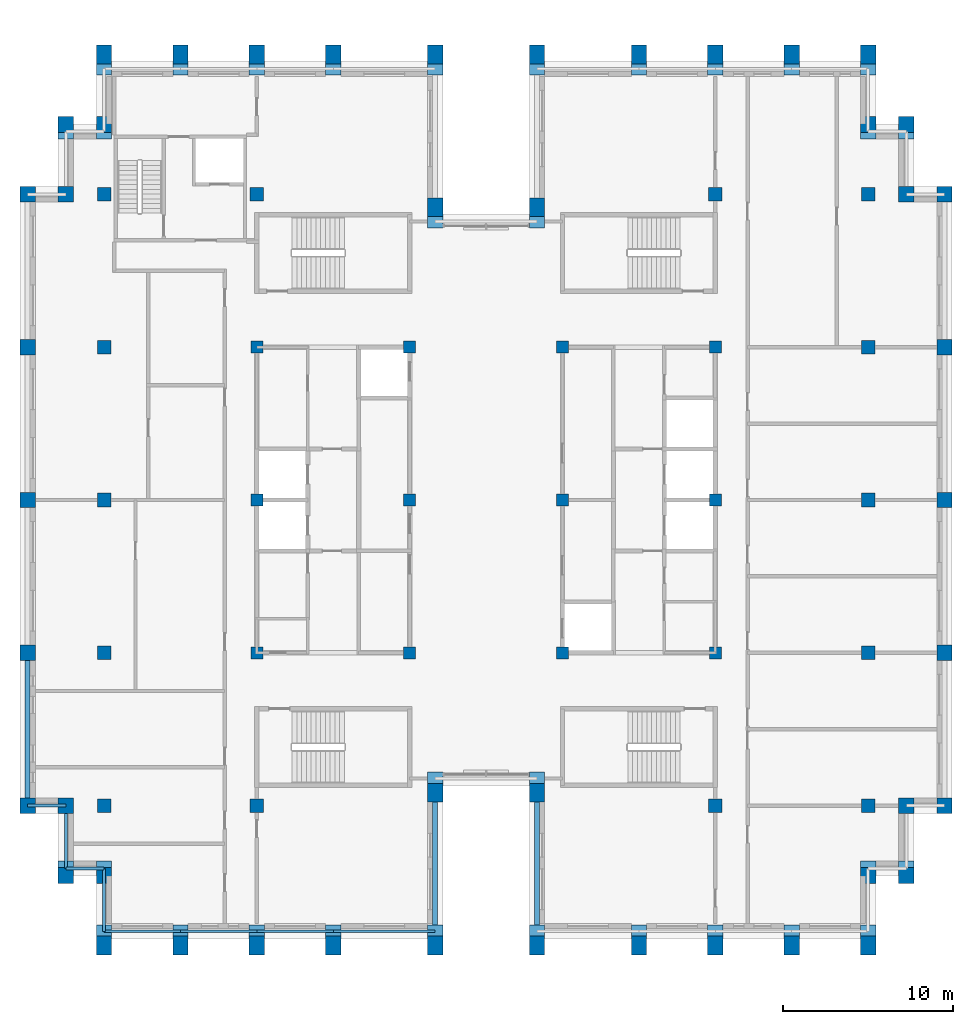
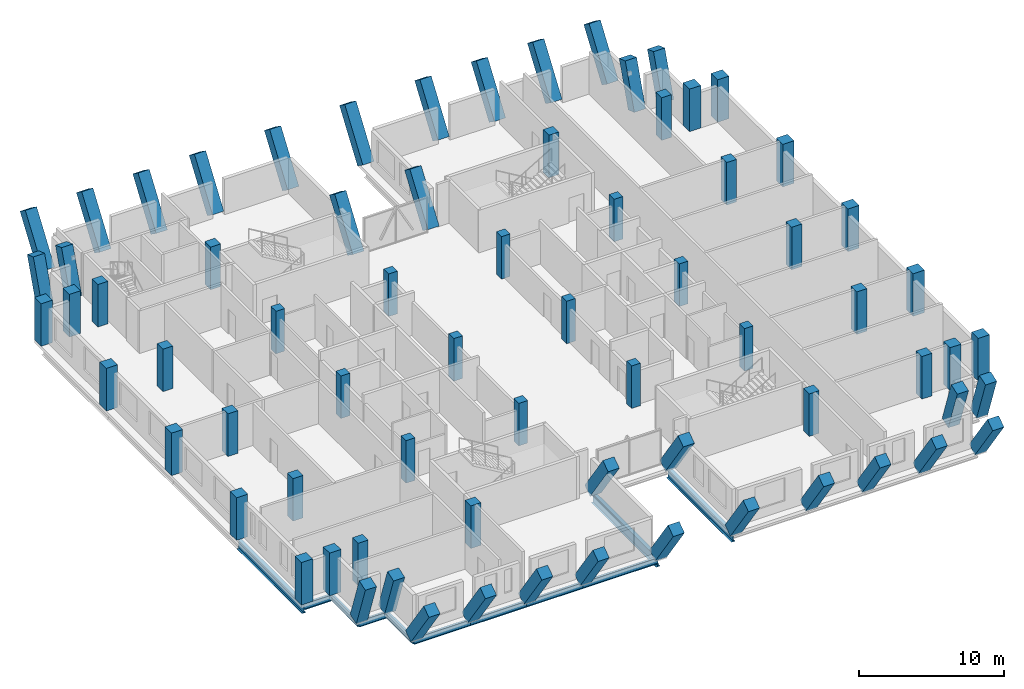
# One storey, part 1 of 13: 72 columns, 11 beams.
"""IFC4 building model written with IfcOpenShell, lengths in metres."""

from ifc_helpers import new_model, si_unit, direction, frame, origin, origin_2d, place, context, subcontext, project, spatial, rectangle, i_section, extrude, material, material_profile, profile_set, type_object, element, save


model = new_model("IFC4")

# Units and contexts
model_context = context("Model", 3, precision=1e-05, world=origin(), true_north=direction((0.0, 1.0)))
body_context = subcontext(model_context, "Body", "Model", "MODEL_VIEW")
ifc_project = project(units=[si_unit("LENGTHUNIT", "METRE"), si_unit("AREAUNIT", "SQUARE_METRE"), si_unit("VOLUMEUNIT", "CUBIC_METRE"), si_unit("PLANEANGLEUNIT", "RADIAN"), si_unit("MASSUNIT", "GRAM", prefix="KILO")], contexts=[model_context])

# Site, building, storey
site_placement = place(None, origin())
site = spatial("IfcSite", under=ifc_project, at=site_placement, CompositionType="ELEMENT")
building_placement = place(site_placement, origin())
building = spatial("IfcBuilding", under=site, at=building_placement, Name="Corbelhall Arena Tower", CompositionType="ELEMENT")
storey_placement = place(building_placement, frame((0.0, 0.0, 346.0)))
storey = spatial("IfcBuildingStorey", under=building, at=storey_placement, Name="L76", CompositionType="ELEMENT", Elevation=346.0)

# Columns
ifc_material_1 = material(Name="Concrete C80/95", Category="concrete")
ifc_material_profile_1 = material_profile(ifc_material_1, rectangle(XDim=0.699951171875, YDim=0.699951171875, at=origin_2d()))
ifc_profile_set_1 = profile_set([ifc_material_profile_1], Name="Concrete C80/95")
column_type_1 = type_object("IfcColumnType", Name="ST-COL-RC 700x700", PredefinedType="COLUMN", material=ifc_profile_set_1)
for number, where, z_axis, x_axis, name in (
    (1, (4.5, 0.0, 0.0), (0.0, 0.0, 1.0), (1.0, 0.0, 0.0), "Column KE+0450+0000"),
    (2, (4.5, 9.0, 0.0), (0.0, 0.0, 1.0), (1.0, 0.0, 0.0), "Column KE+0450+0900"),
    (3, (4.5, -9.0, 0.0), (0.0, 0.0, 1.0), (1.0, 0.0, 0.0), "Column KE+0450-0900"),
    (4, (13.5, 0.0, 0.0), (0.0, 0.0, 1.0), (1.0, 0.0, 0.0), "Column KE+1350+0000"),
    (5, (13.5, 9.0, 0.0), (0.0, 0.0, 1.0), (1.0, 0.0, 0.0), "Column KE+1350+0900"),
    (6, (13.5, -9.0, 0.0), (0.0, 0.0, 1.0), (1.0, 0.0, 0.0), "Column KE+1350-0900"),
    (7, (-4.5, 0.0, 0.0), (0.0, 0.0, 1.0), (1.0, 0.0, 0.0), "Column KW-0450+0000"),
    (8, (-4.5, 9.0, 0.0), (0.0, 0.0, 1.0), (1.0, 0.0, 0.0), "Column KW-0450+0900"),
    (9, (-4.5, -9.0, 0.0), (0.0, 0.0, 1.0), (1.0, 0.0, 0.0), "Column KW-0450-0900"),
    (10, (-13.5, 0.0, 0.0), (0.0, 0.0, 1.0), (1.0, 0.0, 0.0), "Column KW-1350+0000"),
    (11, (-13.5, 9.0, 0.0), (0.0, 0.0, 1.0), (1.0, 0.0, 0.0), "Column KW-1350+0900"),
    (12, (-13.5, -9.0, 0.0), (0.0, 0.0, 1.0), (1.0, 0.0, 0.0), "Column KW-1350-0900"),
):
    element("IfcColumn", number, at=place(storey_placement, frame(where, z_axis=z_axis, x_axis=x_axis)), inside=storey, type_object=column_type_1, Name=name, PredefinedType="COLUMN", context=body_context, shape_type="SweptSolid", body=[
        extrude(rectangle(XDim=0.699951171875, YDim=0.699951171875, at=origin_2d()), origin(), (0.0, 0.0, 1.0), 3.590087890625),
    ])
ifc_material_profile_2 = material_profile(ifc_material_1, rectangle(XDim=0.800048828125, YDim=0.800048828125, at=origin_2d()))
ifc_profile_set_2 = profile_set([ifc_material_profile_2], Name="Concrete C80/95")
column_type_2 = type_object("IfcColumnType", Name="ST-COL-RC 800x800", PredefinedType="COLUMN", material=ifc_profile_set_2)
for number, where, z_axis, x_axis, name in (
    (13, (13.5, 18.0, 0.0), (0.0, 0.0, 1.0), (1.0, 0.0, 0.0), "Column IE13+1800"),
    (14, (13.5, -18.0, 0.0), (0.0, 0.0, 1.0), (1.0, 0.0, 0.0), "Column IE13-1800"),
    (15, (22.5, 0.0, 0.0), (0.0, 0.0, 1.0), (1.0, 0.0, 0.0), "Column IE22+0000"),
    (16, (22.5, 9.0, 0.0), (0.0, 0.0, 1.0), (1.0, 0.0, 0.0), "Column IE22+0900"),
    (17, (22.5, 18.0, 0.0), (0.0, 0.0, 1.0), (1.0, 0.0, 0.0), "Column IE22+1800"),
    (18, (22.5, -9.0, 0.0), (0.0, 0.0, 1.0), (1.0, 0.0, 0.0), "Column IE22-0900"),
    (19, (22.5, -18.0, 0.0), (0.0, 0.0, 1.0), (1.0, 0.0, 0.0), "Column IE22-1800"),
    (20, (-13.5, 18.0, 0.0), (0.0, 0.0, 1.0), (1.0, 0.0, 0.0), "Column IW13+1800"),
    (21, (-13.5, -18.0, 0.0), (0.0, 0.0, 1.0), (1.0, 0.0, 0.0), "Column IW13-1800"),
    (22, (-22.5, 0.0, 0.0), (0.0, 0.0, 1.0), (1.0, 0.0, 0.0), "Column IW22+0000"),
    (23, (-22.5, 9.0, 0.0), (0.0, 0.0, 1.0), (1.0, 0.0, 0.0), "Column IW22+0900"),
    (24, (-22.5, 18.0, 0.0), (0.0, 0.0, 1.0), (1.0, 0.0, 0.0), "Column IW22+1800"),
    (25, (-22.5, -9.0, 0.0), (0.0, 0.0, 1.0), (1.0, 0.0, 0.0), "Column IW22-0900"),
    (26, (-22.5, -18.0, 0.0), (0.0, 0.0, 1.0), (1.0, 0.0, 0.0), "Column IW22-1800"),
):
    element("IfcColumn", number, at=place(storey_placement, frame(where, z_axis=z_axis, x_axis=x_axis)), inside=storey, type_object=column_type_2, Name=name, PredefinedType="COLUMN", context=body_context, shape_type="SweptSolid", body=[
        extrude(rectangle(XDim=0.800048828125, YDim=0.800048828125, at=origin_2d()), origin(), (0.0, 0.0, 1.0), 3.590087890625),
    ])
ifc_material_profile_3 = material_profile(ifc_material_1, rectangle(XDim=0.89990234375, YDim=0.89990234375, at=origin_2d()))
ifc_profile_set_3 = profile_set([ifc_material_profile_3], Name="Concrete C80/95")
column_type_3 = type_object("IfcColumnType", Name="ST-COL-RC 900x900", PredefinedType="COLUMN", material=ifc_profile_set_3)
for number, where, z_axis, x_axis, name in (
    (27, (27.0, 0.0, 0.0), (0.0, 0.0, 1.0), (0.0, 1.0, 0.0), "Column PE+0000"),
    (28, (27.0, 9.0, 0.0), (0.0, 0.0, 1.0), (0.0, 1.0, 0.0), "Column PE+0900"),
    (29, (27.0, 18.0, 0.0), (0.0, 0.0, 1.0), (0.0, 1.0, 0.0), "Column PE+1800"),
    (30, (27.0, -9.0, 0.0), (0.0, 0.0, 1.0), (0.0, 1.0, 0.0), "Column PE-0900"),
    (31, (27.0, -18.0, 0.0), (0.0, 0.0, 1.0), (0.0, 1.0, 0.0), "Column PE-1800"),
):
    element("IfcColumn", number, at=place(storey_placement, frame(where, z_axis=z_axis, x_axis=x_axis)), inside=storey, type_object=column_type_3, Name=name, PredefinedType="COLUMN", context=body_context, shape_type="SweptSolid", body=[
        extrude(rectangle(XDim=0.89990234375, YDim=0.89990234375, at=origin_2d()), origin(), (0.0, 0.0, 1.0), 3.590087890625),
    ])
for number, where, z_axis, x_axis, name in (
    (32, (3.0, 25.39990234375, 0.0), (0.0, 0.571456844548, 0.820632119051), (-1.0, 0.0, 0.0), "Column PNE0300"),
    (33, (9.0, 25.39990234375, 0.0), (0.0, 0.571456844548, 0.820632119051), (-1.0, 0.0, 0.0), "Column PNE0900"),
    (34, (13.5, 25.39990234375, 0.0), (0.0, 0.571456844548, 0.820632119051), (-1.0, 0.0, 0.0), "Column PNE1350"),
    (35, (18.0, 25.39990234375, 0.0), (0.0, 0.571456844548, 0.820632119051), (-1.0, 0.0, 0.0), "Column PNE1800"),
    (36, (22.5, 25.39990234375, 0.0), (0.0, 0.571456844548, 0.820632119051), (-1.0, 0.0, 0.0), "Column PNE2250"),
    (37, (-3.0, 25.39990234375, 0.0), (0.0, 0.571456844548, 0.820632119051), (-1.0, 0.0, 0.0), "Column PNW0300"),
    (38, (-9.0, 25.39990234375, 0.0), (0.0, 0.571456844548, 0.820632119051), (-1.0, 0.0, 0.0), "Column PNW0900"),
    (39, (-13.5, 25.39990234375, 0.0), (0.0, 0.571456844548, 0.820632119051), (-1.0, 0.0, 0.0), "Column PNW1350"),
    (40, (-18.0, 25.39990234375, 0.0), (0.0, 0.571456844548, 0.820632119051), (-1.0, 0.0, 0.0), "Column PNW1800"),
    (41, (-22.5, 25.39990234375, 0.0), (0.0, 0.571456844548, 0.820632119051), (-1.0, 0.0, 0.0), "Column PNW2250"),
    (42, (3.0, -25.39990234375, 0.0), (0.0, -0.571456844548, 0.820632119051), (1.0, 0.0, 0.0), "Column PSE0300"),
    (43, (9.0, -25.39990234375, 0.0), (0.0, -0.571456844548, 0.820632119051), (1.0, 0.0, 0.0), "Column PSE0900"),
    (44, (13.5, -25.39990234375, 0.0), (0.0, -0.571456844548, 0.820632119051), (1.0, 0.0, 0.0), "Column PSE1350"),
    (45, (18.0, -25.39990234375, 0.0), (0.0, -0.571456844548, 0.820632119051), (1.0, 0.0, 0.0), "Column PSE1800"),
    (46, (22.5, -25.39990234375, 0.0), (0.0, -0.571456844548, 0.820632119051), (1.0, 0.0, 0.0), "Column PSE2250"),
    (47, (-3.0, -25.39990234375, 0.0), (0.0, -0.571456844548, 0.820632119051), (1.0, 0.0, 0.0), "Column PSW0300"),
    (48, (-9.0, -25.39990234375, 0.0), (0.0, -0.571456844548, 0.820632119051), (1.0, 0.0, 0.0), "Column PSW0900"),
    (49, (-13.5, -25.39990234375, 0.0), (0.0, -0.571456844548, 0.820632119051), (1.0, 0.0, 0.0), "Column PSW1350"),
    (50, (-18.0, -25.39990234375, 0.0), (0.0, -0.571456844548, 0.820632119051), (1.0, 0.0, 0.0), "Column PSW1800"),
    (51, (-22.5, -25.39990234375, 0.0), (0.0, -0.571456844548, 0.820632119051), (1.0, 0.0, 0.0), "Column PSW2250"),
):
    element("IfcColumn", number, at=place(storey_placement, frame(where, z_axis=z_axis, x_axis=x_axis)), inside=storey, type_object=column_type_3, Name=name, PredefinedType="COLUMN", context=body_context, shape_type="SweptSolid", body=[
        extrude(rectangle(XDim=0.89990234375, YDim=0.89990234375, at=origin_2d()), origin(), (0.0, 0.0, 1.0), 4.374755859375),
    ])
for number, where, z_axis, x_axis, name in (
    (52, (-27.0, 0.0, 0.0), (0.0, 0.0, 1.0), (0.0, 1.0, 0.0), "Column PW+0000"),
    (53, (-27.0, 9.0, 0.0), (0.0, 0.0, 1.0), (0.0, 1.0, 0.0), "Column PW+0900"),
    (54, (-27.0, 18.0, 0.0), (0.0, 0.0, 1.0), (0.0, 1.0, 0.0), "Column PW+1800"),
    (55, (-27.0, -9.0, 0.0), (0.0, 0.0, 1.0), (0.0, 1.0, 0.0), "Column PW-0900"),
    (56, (-27.0, -18.0, 0.0), (0.0, 0.0, 1.0), (0.0, 1.0, 0.0), "Column PW-1800"),
):
    element("IfcColumn", number, at=place(storey_placement, frame(where, z_axis=z_axis, x_axis=x_axis)), inside=storey, type_object=column_type_3, Name=name, PredefinedType="COLUMN", context=body_context, shape_type="SweptSolid", body=[
        extrude(rectangle(XDim=0.89990234375, YDim=0.89990234375, at=origin_2d()), origin(), (0.0, 0.0, 1.0), 3.590087890625),
    ])
for number, where, z_axis, x_axis, name in (
    (57, (3.0, 16.39990234375, 0.0), (0.0, 0.571456844548, 0.820632119051), (-1.0, 0.0, 0.0), "Column SLNE2"),
    (58, (-3.0, 16.39990234375, 0.0), (0.0, 0.571456844548, 0.820632119051), (-1.0, 0.0, 0.0), "Column SLNW2"),
    (59, (3.0, -16.39990234375, 0.0), (0.0, -0.571456844548, 0.820632119051), (1.0, 0.0, 0.0), "Column SLSE2"),
    (60, (-3.0, -16.39990234375, 0.0), (0.0, -0.571456844548, 0.820632119051), (1.0, 0.0, 0.0), "Column SLSW2"),
):
    element("IfcColumn", number, at=place(storey_placement, frame(where, z_axis=z_axis, x_axis=x_axis)), inside=storey, type_object=column_type_3, Name=name, PredefinedType="COLUMN", context=body_context, shape_type="SweptSolid", body=[
        extrude(rectangle(XDim=0.89990234375, YDim=0.89990234375, at=origin_2d()), origin(), (0.0, 0.0, 1.0), 4.374755859375),
    ])
for number, where, z_axis, x_axis, name in (
    (61, (22.5, 21.699951171875, 0.0), (0.0, 0.328819519572, 0.944392780335), (-1.0, 0.0, 0.0), "Column XNE1"),
    (62, (24.75, 21.699951171875, 0.0), (0.0, 0.328819519572, 0.944392780335), (-1.0, 0.0, 0.0), "Column XNE2"),
):
    element("IfcColumn", number, at=place(storey_placement, frame(where, z_axis=z_axis, x_axis=x_axis)), inside=storey, type_object=column_type_3, Name=name, PredefinedType="COLUMN", context=body_context, shape_type="SweptSolid", body=[
        extrude(rectangle(XDim=0.89990234375, YDim=0.89990234375, at=origin_2d()), origin(), (0.0, 0.0, 1.0), 3.801513671875),
    ])
column_1_placement = place(storey_placement, frame((24.75, 18.0, 0.0), z_axis=(0.0, 0.0, 1.0), x_axis=(1.0, 0.0, 0.0)))
element("IfcColumn", 63, at=column_1_placement, inside=storey, type_object=column_type_3, Name="Column XNE3", PredefinedType="COLUMN", context=body_context, shape_type="SweptSolid", body=[
    extrude(rectangle(XDim=0.89990234375, YDim=0.89990234375, at=origin_2d()), origin(), (0.0, 0.0, 1.0), 3.590087890625),
])
for number, where, z_axis, x_axis, name in (
    (64, (-22.5, 21.699951171875, 0.0), (0.0, 0.328819519572, 0.944392780335), (-1.0, 0.0, 0.0), "Column XNW1"),
    (65, (-24.75, 21.699951171875, 0.0), (0.0, 0.328819519572, 0.944392780335), (-1.0, 0.0, 0.0), "Column XNW2"),
):
    element("IfcColumn", number, at=place(storey_placement, frame(where, z_axis=z_axis, x_axis=x_axis)), inside=storey, type_object=column_type_3, Name=name, PredefinedType="COLUMN", context=body_context, shape_type="SweptSolid", body=[
        extrude(rectangle(XDim=0.89990234375, YDim=0.89990234375, at=origin_2d()), origin(), (0.0, 0.0, 1.0), 3.801513671875),
    ])
column_2_placement = place(storey_placement, frame((-24.75, 18.0, 0.0), z_axis=(0.0, 0.0, 1.0), x_axis=(1.0, 0.0, 0.0)))
element("IfcColumn", 66, at=column_2_placement, inside=storey, type_object=column_type_3, Name="Column XNW3", PredefinedType="COLUMN", context=body_context, shape_type="SweptSolid", body=[
    extrude(rectangle(XDim=0.89990234375, YDim=0.89990234375, at=origin_2d()), origin(), (0.0, 0.0, 1.0), 3.590087890625),
])
for number, where, z_axis, x_axis, name in (
    (67, (22.5, -21.699951171875, 0.0), (0.0, -0.328819519572, 0.944392780335), (1.0, 0.0, 0.0), "Column XSE1"),
    (68, (24.75, -21.699951171875, 0.0), (0.0, -0.328819519572, 0.944392780335), (1.0, 0.0, 0.0), "Column XSE2"),
):
    element("IfcColumn", number, at=place(storey_placement, frame(where, z_axis=z_axis, x_axis=x_axis)), inside=storey, type_object=column_type_3, Name=name, PredefinedType="COLUMN", context=body_context, shape_type="SweptSolid", body=[
        extrude(rectangle(XDim=0.89990234375, YDim=0.89990234375, at=origin_2d()), origin(), (0.0, 0.0, 1.0), 3.801513671875),
    ])
column_3_placement = place(storey_placement, frame((24.75, -18.0, 0.0), z_axis=(0.0, 0.0, 1.0), x_axis=(1.0, 0.0, 0.0)))
element("IfcColumn", 69, at=column_3_placement, inside=storey, type_object=column_type_3, Name="Column XSE3", PredefinedType="COLUMN", context=body_context, shape_type="SweptSolid", body=[
    extrude(rectangle(XDim=0.89990234375, YDim=0.89990234375, at=origin_2d()), origin(), (0.0, 0.0, 1.0), 3.590087890625),
])
for number, where, z_axis, x_axis, name in (
    (70, (-22.5, -21.699951171875, 0.0), (0.0, -0.328819519572, 0.944392780335), (1.0, 0.0, 0.0), "Column XSW1"),
    (71, (-24.75, -21.699951171875, 0.0), (0.0, -0.328819519572, 0.944392780335), (1.0, 0.0, 0.0), "Column XSW2"),
):
    element("IfcColumn", number, at=place(storey_placement, frame(where, z_axis=z_axis, x_axis=x_axis)), inside=storey, type_object=column_type_3, Name=name, PredefinedType="COLUMN", context=body_context, shape_type="SweptSolid", body=[
        extrude(rectangle(XDim=0.89990234375, YDim=0.89990234375, at=origin_2d()), origin(), (0.0, 0.0, 1.0), 3.801513671875),
    ])
column_4_placement = place(storey_placement, frame((-24.75, -18.0, 0.0), z_axis=(0.0, 0.0, 1.0), x_axis=(1.0, 0.0, 0.0)))
element("IfcColumn", 72, at=column_4_placement, inside=storey, type_object=column_type_3, Name="Column XSW3", PredefinedType="COLUMN", context=body_context, shape_type="SweptSolid", body=[
    extrude(rectangle(XDim=0.89990234375, YDim=0.89990234375, at=origin_2d()), origin(), (0.0, 0.0, 1.0), 3.590087890625),
])

# Beams
ifc_material_2 = material(Name="Steel ASTM A992 Gr50", Category="steel")
ifc_material_profile_4 = material_profile(ifc_material_2, i_section(OverallWidth=0.16650390625, OverallDepth=0.535888671875, WebThickness=0.01025390625, FlangeThickness=0.0166015625, at=origin_2d()))
ifc_profile_set_4 = profile_set([ifc_material_profile_4], Name="Steel ASTM A992 Gr50")
beam_type_1 = type_object("IfcBeamType", Name="ST-SPANDREL-W21x57", PredefinedType="SPANDREL", material=ifc_profile_set_4)
beam_1_placement = place(storey_placement, frame((-3.0, -25.39990234375, -0.528076171875), z_axis=(-1.0, 0.0, 0.0), x_axis=(0.0, -1.0, 0.0)))
element("IfcBeam", 73, at=beam_1_placement, inside=storey, type_object=beam_type_1, Name="Beam SP 21", PredefinedType="SPANDREL", context=body_context, shape_type="SweptSolid", body=[
    extrude(i_section(OverallWidth=0.16650390625, OverallDepth=0.535888671875, WebThickness=0.01025390625, FlangeThickness=0.0166015625, at=origin_2d()), origin(), (0.0, 0.0, 1.0), 6.0),
])
for number, where, z_axis, x_axis, name in (
    (74, (-9.0, -25.39990234375, -0.528076171875), (-1.0, 0.0, 0.0), (0.0, -1.0, 0.0), "Beam SP 22"),
    (75, (-13.5, -25.39990234375, -0.528076171875), (-1.0, 0.0, 0.0), (0.0, -1.0, 0.0), "Beam SP 23"),
    (76, (-18.0, -25.39990234375, -0.528076171875), (-1.0, 0.0, 0.0), (0.0, -1.0, 0.0), "Beam SP 24"),
):
    element("IfcBeam", number, at=place(storey_placement, frame(where, z_axis=z_axis, x_axis=x_axis)), inside=storey, type_object=beam_type_1, Name=name, PredefinedType="SPANDREL", context=body_context, shape_type="SweptSolid", body=[
        extrude(i_section(OverallWidth=0.16650390625, OverallDepth=0.535888671875, WebThickness=0.01025390625, FlangeThickness=0.0166015625, at=origin_2d()), origin(), (0.0, 0.0, 1.0), 4.5),
    ])
beam_2_placement = place(storey_placement, frame((-22.5, -25.39990234375, -0.528076171875), z_axis=(0.0, 1.0, 0.0), x_axis=(-1.0, 0.0, 0.0)))
element("IfcBeam", 77, at=beam_2_placement, inside=storey, type_object=beam_type_1, Name="Beam SP 25", PredefinedType="SPANDREL", context=body_context, shape_type="SweptSolid", body=[
    extrude(i_section(OverallWidth=0.16650390625, OverallDepth=0.535888671875, WebThickness=0.01025390625, FlangeThickness=0.0166015625, at=origin_2d()), origin(), (0.0, 0.0, 1.0), 3.699951171875),
])
beam_3_placement = place(storey_placement, frame((-22.5, -21.699951171875, -0.528076171875), z_axis=(-1.0, 0.0, 0.0), x_axis=(0.0, -1.0, 0.0)))
element("IfcBeam", 78, at=beam_3_placement, inside=storey, type_object=beam_type_1, Name="Beam SP 44", PredefinedType="SPANDREL", context=body_context, shape_type="SweptSolid", body=[
    extrude(i_section(OverallWidth=0.16650390625, OverallDepth=0.535888671875, WebThickness=0.01025390625, FlangeThickness=0.0166015625, at=origin_2d()), origin(), (0.0, 0.0, 1.0), 2.25),
])
beam_4_placement = place(storey_placement, frame((-24.75, -21.699951171875, -0.528076171875), z_axis=(0.0, 1.0, 0.0), x_axis=(-1.0, 0.0, 0.0)))
element("IfcBeam", 79, at=beam_4_placement, inside=storey, type_object=beam_type_1, Name="Beam SP 45", PredefinedType="SPANDREL", context=body_context, shape_type="SweptSolid", body=[
    extrude(i_section(OverallWidth=0.16650390625, OverallDepth=0.535888671875, WebThickness=0.01025390625, FlangeThickness=0.0166015625, at=origin_2d()), origin(), (0.0, 0.0, 1.0), 3.699951171875),
])
beam_5_placement = place(storey_placement, frame((-24.75, -18.0, -0.528076171875), z_axis=(-1.0, 0.0, 0.0), x_axis=(0.0, -1.0, 0.0)))
element("IfcBeam", 80, at=beam_5_placement, inside=storey, type_object=beam_type_1, Name="Beam SP 46", PredefinedType="SPANDREL", context=body_context, shape_type="SweptSolid", body=[
    extrude(i_section(OverallWidth=0.16650390625, OverallDepth=0.535888671875, WebThickness=0.01025390625, FlangeThickness=0.0166015625, at=origin_2d()), origin(), (0.0, 0.0, 1.0), 2.25),
])
ifc_material_profile_5 = material_profile(ifc_material_2, i_section(OverallWidth=0.2919921875, OverallDepth=0.845703125, WebThickness=0.015380859375, FlangeThickness=0.0244140625, at=origin_2d()))
ifc_profile_set_5 = profile_set([ifc_material_profile_5], Name="Steel ASTM A992 Gr50")
beam_type_2 = type_object("IfcBeamType", Name="ST-SPANDREL-W33x141", PredefinedType="SPANDREL", material=ifc_profile_set_5)
for number, where, z_axis, x_axis, name in (
    (81, (3.0, -25.39990234375, -0.682861328125), (0.0, 1.0, 0.0), (-1.0, 0.0, 0.0), "Beam SP 16"),
    (82, (-27.0, -18.0, -0.682861328125), (0.0, 1.0, 0.0), (-1.0, 0.0, 0.0), "Beam SP 30"),
    (83, (-3.0, -16.39990234375, -0.682861328125), (0.0, -1.0, 0.0), (1.0, 0.0, 0.0), "Beam SP 34"),
):
    element("IfcBeam", number, at=place(storey_placement, frame(where, z_axis=z_axis, x_axis=x_axis)), inside=storey, type_object=beam_type_2, Name=name, PredefinedType="SPANDREL", context=body_context, shape_type="SweptSolid", body=[
        extrude(i_section(OverallWidth=0.2919921875, OverallDepth=0.845703125, WebThickness=0.015380859375, FlangeThickness=0.0244140625, at=origin_2d()), origin(), (0.0, 0.0, 1.0), 9.0),
    ])

save(model, "model.ifc")
